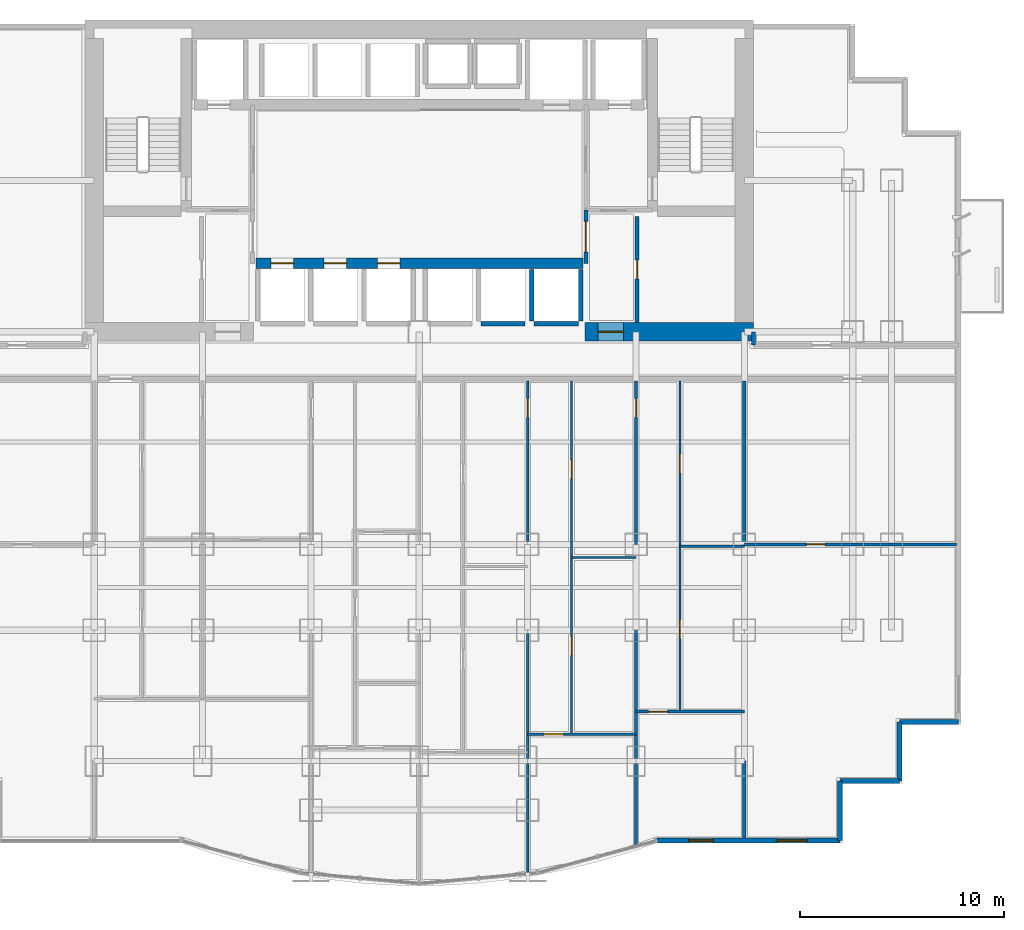
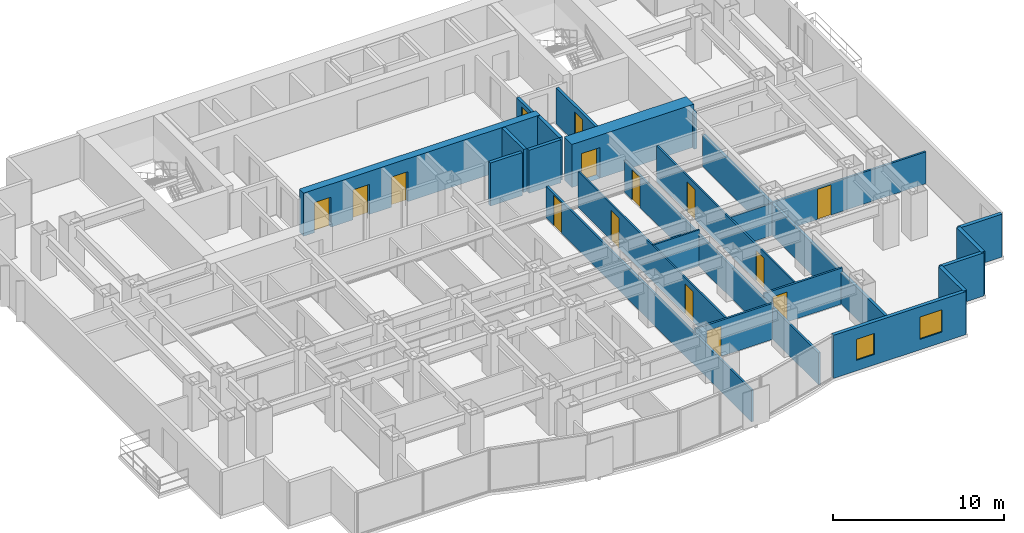
# One storey, part 6 of 10: 24 walls, 15 doors, 2 windows, 17 openings.
"""IFC4 building model written with IfcOpenShell, lengths in metres."""

from ifc_helpers import new_model, si_unit, direction, frame, frame_2d, origin, place, context, subcontext, project, spatial, rectangle, extrude, material, layer, layer_set, type_object, element, fill, save


model = new_model("IFC4")

# Units and contexts
model_context = context("Model", 3, precision=1e-05, world=origin(), true_north=direction((0.0, 1.0)))
body_context = subcontext(model_context, "Body", "Model", "MODEL_VIEW")
ifc_project = project(units=[si_unit("LENGTHUNIT", "METRE"), si_unit("AREAUNIT", "SQUARE_METRE"), si_unit("VOLUMEUNIT", "CUBIC_METRE"), si_unit("PLANEANGLEUNIT", "RADIAN"), si_unit("MASSUNIT", "GRAM", prefix="KILO")], contexts=[model_context])

# Site, building, storey
site_placement = place(None, origin())
site = spatial("IfcSite", under=ifc_project, at=site_placement, CompositionType="ELEMENT")
building_placement = place(site_placement, origin())
building = spatial("IfcBuilding", under=site, at=building_placement, Name="Qianlan Lanfeng Residences", CompositionType="ELEMENT")
storey_placement = place(building_placement, frame((0.0, 0.0, 60.5)))
storey = spatial("IfcBuildingStorey", under=building, at=storey_placement, Name="L16", CompositionType="ELEMENT", Elevation=60.5)

# Wall, openings, doors
ifc_material_1 = material(Name="Concrete C70", Category="concrete")
ifc_layer_1 = layer(ifc_material_1, 0.5)
ifc_layer_set_1 = layer_set([ifc_layer_1], Name="Concrete C70")
wall_type_1 = type_object("IfcWallType", Name="CW-RC-500", PredefinedType="SHEAR", material=ifc_layer_set_1)
wall_1_placement = place(storey_placement, frame((18.5, 28.550048828125, 0.0), z_axis=(0.0, 0.0, 1.0), x_axis=(1.0, 0.0, 0.0)))
wall_1 = element("IfcWall", 1, at=wall_1_placement, inside=storey, type_object=wall_type_1, Name="L16 Core Shear Wall LBS", PredefinedType="SHEAR", context=body_context, shape_type="SweptSolid", body=[
    extrude(rectangle(XDim=16.0, YDim=0.5, at=frame_2d((8.0, 0.0))), origin(), (0.0, 0.0, 1.0), 3.080078125),
])
opening_1_placement = place(wall_1_placement, frame((0.75, 0.0, 0.0)))
opening_1 = element("IfcOpeningElement", 2, at=opening_1_placement, cuts=wall_1, Name="Opening L16-LD-PL-L1", PredefinedType="OPENING", context=body_context, shape_type="SweptSolid", body=[
    extrude(rectangle(XDim=1.10009765625, YDim=2.14990234375, at=frame_2d((0.550048828125, 1.074951171875))), frame((0.0, 0.260009765625, 0.0), z_axis=(0.0, -1.0, 0.0), x_axis=(1.0, 0.0, 0.0)), (0.0, 0.0, 1.0), 0.52001953125),
])
opening_2_placement = place(wall_1_placement, frame((3.35009765625, 0.0, 0.0)))
opening_2 = element("IfcOpeningElement", 3, at=opening_2_placement, cuts=wall_1, Name="Opening L16-LD-PL-L2", PredefinedType="OPENING", context=body_context, shape_type="SweptSolid", body=[
    extrude(rectangle(XDim=1.10009765625, YDim=2.14990234375, at=frame_2d((0.550048828125, 1.074951171875))), frame((0.0, 0.260009765625, 0.0), z_axis=(0.0, -1.0, 0.0), x_axis=(1.0, 0.0, 0.0)), (0.0, 0.0, 1.0), 0.52001953125),
])
opening_3_placement = place(wall_1_placement, frame((5.949951171875, 0.0, 0.0)))
opening_3 = element("IfcOpeningElement", 4, at=opening_3_placement, cuts=wall_1, Name="Opening L16-LD-PL-L3", PredefinedType="OPENING", context=body_context, shape_type="SweptSolid", body=[
    extrude(rectangle(XDim=1.10009765625, YDim=2.14990234375, at=frame_2d((0.550048828125, 1.074951171875))), frame((0.0, 0.260009765625, 0.0), z_axis=(0.0, -1.0, 0.0), x_axis=(1.0, 0.0, 0.0)), (0.0, 0.0, 1.0), 0.52001953125),
])
ifc_material_2 = material(Name="Brushed Stainless Steel Sliding Lift Door", Category="steel")
door_type_1 = type_object("IfcDoorType", Name="LD-01", OperationType="NOTDEFINED", PredefinedType="DOOR", material=ifc_material_2)
door_1_placement = place(opening_1_placement, origin())
door_1 = element("IfcDoor", 5, at=door_1_placement, inside=storey, type_object=door_type_1, Name="L16 Elevator PL-L1 Sliding Landing Door", OperationType="DOUBLE_DOOR_SLIDING", OverallHeight=2.14990234375, OverallWidth=1.10009765625, PredefinedType="DOOR", context=body_context, shape_type="SweptSolid", body=[
    extrude(rectangle(XDim=1.10009765625, YDim=2.14990234375, at=frame_2d((0.550048828125, 1.074951171875))), frame((0.0, 0.02490234375, 0.0), z_axis=(0.0, -1.0, 0.0), x_axis=(1.0, 0.0, 0.0)), (0.0, 0.0, 1.0), 0.050048828125),
])
fill(opening_1, door_1)
door_2_placement = place(opening_2_placement, origin())
door_2 = element("IfcDoor", 6, at=door_2_placement, inside=storey, type_object=door_type_1, Name="L16 Elevator PL-L2 Sliding Landing Door", OperationType="DOUBLE_DOOR_SLIDING", OverallHeight=2.14990234375, OverallWidth=1.10009765625, PredefinedType="DOOR", context=body_context, shape_type="SweptSolid", body=[
    extrude(rectangle(XDim=1.10009765625, YDim=2.14990234375, at=frame_2d((0.550048828125, 1.074951171875))), frame((0.0, 0.02490234375, 0.0), z_axis=(0.0, -1.0, 0.0), x_axis=(1.0, 0.0, 0.0)), (0.0, 0.0, 1.0), 0.050048828125),
])
fill(opening_2, door_2)
door_3_placement = place(opening_3_placement, origin())
door_3 = element("IfcDoor", 7, at=door_3_placement, inside=storey, type_object=door_type_1, Name="L16 Elevator PL-L3 Sliding Landing Door", OperationType="DOUBLE_DOOR_SLIDING", OverallHeight=2.14990234375, OverallWidth=1.10009765625, PredefinedType="DOOR", context=body_context, shape_type="SweptSolid", body=[
    extrude(rectangle(XDim=1.10009765625, YDim=2.14990234375, at=frame_2d((0.550048828125, 1.074951171875))), frame((0.0, 0.02490234375, 0.0), z_axis=(0.0, -1.0, 0.0), x_axis=(1.0, 0.0, 0.0)), (0.0, 0.0, 1.0), 0.050048828125),
])
fill(opening_3, door_3)

# Wall, opening, door
ifc_layer_2 = layer(ifc_material_1, 0.89990234375)
ifc_layer_set_2 = layer_set([ifc_layer_2], Name="Concrete C70")
wall_type_2 = type_object("IfcWallType", Name="CW-RC-900", PredefinedType="SHEAR", material=ifc_layer_set_2)
wall_2_placement = place(storey_placement, frame((34.60009765625, 25.199951171875, 0.0), z_axis=(0.0, 0.0, 1.0), x_axis=(1.0, 0.0, 0.0)))
wall_2 = element("IfcWall", 8, at=wall_2_placement, inside=storey, type_object=wall_type_2, Name="L16 Core Shear Wall SE", PredefinedType="SHEAR", context=body_context, shape_type="SweptSolid", body=[
    extrude(rectangle(XDim=8.25, YDim=0.89990234375, at=frame_2d((4.125, 0.0))), origin(), (0.0, 0.0, 1.0), 3.080078125),
])
opening_4_placement = place(wall_2_placement, frame((0.64990234375, 0.0, 0.0)))
opening_4 = element("IfcOpeningElement", 9, at=opening_4_placement, cuts=wall_2, Name="Opening L16-D02", PredefinedType="OPENING", context=body_context, shape_type="SweptSolid", body=[
    extrude(rectangle(XDim=1.25, YDim=2.199951171875, at=frame_2d((0.625, 1.10009765625))), frame((0.0, 0.4599609375, 0.0), z_axis=(0.0, -1.0, 0.0), x_axis=(1.0, 0.0, 0.0)), (0.0, 0.0, 1.0), 0.919921875),
])
ifc_material_3 = material(Name="Painted Galvanised Steel Fire Door", Category="steel")
door_type_2 = type_object("IfcDoorType", Name="DT-FFL", OperationType="NOTDEFINED", PredefinedType="DOOR", material=ifc_material_3)
door_4_placement = place(opening_4_placement, frame((1.25, 0.0, 0.0), z_axis=(0.0, 0.0, 1.0), x_axis=(-1.0, 0.0, 0.0)))
door_4 = element("IfcDoor", 10, at=door_4_placement, inside=storey, type_object=door_type_2, Name="L16 East Core Lobby Smoke Door L16-D02 (DT-FFL)", OperationType="SINGLE_SWING_LEFT", OverallHeight=2.199951171875, OverallWidth=1.25, PredefinedType="DOOR", context=body_context, shape_type="SweptSolid", body=[
    extrude(rectangle(XDim=1.25, YDim=2.199951171875, at=frame_2d((0.625, 1.10009765625))), frame((0.0, 0.02490234375, 0.0), z_axis=(0.0, -1.0, 0.0), x_axis=(1.0, 0.0, 0.0)), (0.0, 0.0, 1.0), 0.050048828125),
])
fill(opening_4, door_4)

# Wall, openings, windows
ifc_material_4 = material(Name="Concrete C42", Category="concrete")
ifc_layer_3 = layer(ifc_material_4, 0.239990234375)
ifc_layer_set_3 = layer_set([ifc_layer_3], Name="Concrete C42")
wall_type_3 = type_object("IfcWallType", Name="EW-240", PredefinedType="SOLIDWALL", material=ifc_layer_set_3)
wall_3_placement = place(storey_placement, frame((38.1298828125, 0.320068359375, 0.0), z_axis=(0.0, 0.0, 1.0), x_axis=(1.0, 0.0, 0.0)))
wall_3 = element("IfcWall", 11, at=wall_3_placement, inside=storey, type_object=wall_type_3, Name="L16 Exterior Facade Spandrel Wall 5", PredefinedType="SOLIDWALL", context=body_context, shape_type="SweptSolid", body=[
    extrude(rectangle(XDim=8.9501953125, YDim=0.239990234375, at=frame_2d((4.47509765625, 0.0))), origin(), (0.0, 0.0, 1.0), 3.080078125),
])
opening_5_placement = place(wall_3_placement, frame((5.8349609375, 0.0, 0.75)))
opening_5 = element("IfcOpeningElement", 12, at=opening_5_placement, cuts=wall_3, Name="Opening W-02", PredefinedType="OPENING", context=body_context, shape_type="SweptSolid", body=[
    extrude(rectangle(XDim=1.5, YDim=1.60009765625, at=frame_2d((0.75, 0.800048828125))), frame((0.0, 0.1298828125, 0.0), z_axis=(0.0, -1.0, 0.0), x_axis=(1.0, 0.0, 0.0)), (0.0, 0.0, 1.0), 0.260009765625),
])
opening_6_placement = place(wall_3_placement, frame((1.56005859375, 0.0, 0.75)))
opening_6 = element("IfcOpeningElement", 13, at=opening_6_placement, cuts=wall_3, Name="Opening W-03", PredefinedType="OPENING", context=body_context, shape_type="SweptSolid", body=[
    extrude(rectangle(XDim=1.199951171875, YDim=1.5, at=frame_2d((0.60009765625, 0.75))), frame((0.0, 0.1298828125, 0.0), z_axis=(0.0, -1.0, 0.0), x_axis=(1.0, 0.0, 0.0)), (0.0, 0.0, 1.0), 0.260009765625),
])
ifc_material_5 = material(Name="Anodised Bronze Aluminium Framed Double Glazing", Category="aluminium")
window_type_1 = type_object("IfcWindowType", Name="W-02", PartitioningType="SINGLE_PANEL", PredefinedType="WINDOW", material=ifc_material_5)
window_1_placement = place(opening_5_placement, origin())
window_1 = element("IfcWindow", 14, at=window_1_placement, inside=storey, type_object=window_type_1, Name="L16 Facade Punched Window W-02", OverallHeight=1.60009765625, OverallWidth=1.5, PartitioningType="SINGLE_PANEL", PredefinedType="WINDOW", context=body_context, shape_type="SweptSolid", body=[
    extrude(rectangle(XDim=1.5, YDim=1.60009765625, at=frame_2d((0.75, 0.800048828125))), frame((0.0, 0.030029296875, 0.0), z_axis=(0.0, -1.0, 0.0), x_axis=(1.0, 0.0, 0.0)), (0.0, 0.0, 1.0), 0.06005859375),
])
fill(opening_5, window_1)
window_type_2 = type_object("IfcWindowType", Name="W-03", PartitioningType="SINGLE_PANEL", PredefinedType="WINDOW", material=ifc_material_5)
window_2_placement = place(opening_6_placement, origin())
window_2 = element("IfcWindow", 15, at=window_2_placement, inside=storey, type_object=window_type_2, Name="L16 Facade Bay Window W-03", OverallHeight=1.5, OverallWidth=1.199951171875, PartitioningType="SINGLE_PANEL", PredefinedType="WINDOW", context=body_context, shape_type="SweptSolid", body=[
    extrude(rectangle(XDim=1.199951171875, YDim=1.5, at=frame_2d((0.60009765625, 0.75))), frame((0.0, 0.030029296875, 0.0), z_axis=(0.0, -1.0, 0.0), x_axis=(1.0, 0.0, 0.0)), (0.0, 0.0, 1.0), 0.06005859375),
])
fill(opening_6, window_2)

# Walls
for number, where, z_axis, x_axis, name in (
    (16, (47.080078125, 0.320068359375, 0.0), (0.0, 0.0, 1.0), (0.0, 1.0, 0.0), "L16 Exterior Facade Spandrel Wall 6"),
    (17, (47.080078125, 3.219970703125, 0.0), (0.0, 0.0, 1.0), (1.0, 0.0, 0.0), "L16 Exterior Facade Spandrel Wall 7"),
):
    element("IfcWall", number, at=place(storey_placement, frame(where, z_axis=z_axis, x_axis=x_axis)), inside=storey, type_object=wall_type_3, Name=name, PredefinedType="SOLIDWALL", context=body_context, shape_type="SweptSolid", body=[
        extrude(rectangle(XDim=2.89990234375, YDim=0.239990234375, at=frame_2d((1.449951171875, 0.0))), origin(), (0.0, 0.0, 1.0), 3.080078125),
    ])
wall_4_placement = place(storey_placement, frame((49.97998046875, 3.219970703125, 0.0), z_axis=(0.0, 0.0, 1.0), x_axis=(0.0, 1.0, 0.0)))
element("IfcWall", 18, at=wall_4_placement, inside=storey, type_object=wall_type_3, Name="L16 Exterior Facade Spandrel Wall 8", PredefinedType="SOLIDWALL", context=body_context, shape_type="SweptSolid", body=[
    extrude(rectangle(XDim=2.900146484375, YDim=0.239990234375, at=frame_2d((1.4501953125, 0.0))), origin(), (0.0, 0.0, 1.0), 3.080078125),
])
wall_5_placement = place(storey_placement, frame((49.97998046875, 6.1201171875, 0.0), z_axis=(0.0, 0.0, 1.0), x_axis=(1.0, 0.0, 0.0)))
element("IfcWall", 19, at=wall_5_placement, inside=storey, type_object=wall_type_3, Name="L16 Exterior Facade Spandrel Wall 9", PredefinedType="SOLIDWALL", context=body_context, shape_type="SweptSolid", body=[
    extrude(rectangle(XDim=2.89990234375, YDim=0.239990234375, at=frame_2d((1.449951171875, 0.0))), origin(), (0.0, 0.0, 1.0), 3.080078125),
])

# Wall, openings, doors
ifc_material_6 = material(Name="Demountable Acoustic Framing Partition 110 mm")
ifc_layer_4 = layer(ifc_material_6, 0.110107421875)
ifc_layer_set_4 = layer_set([ifc_layer_4], Name="Demountable Acoustic Framing Partition 110 mm")
wall_type_4 = type_object("IfcWallType", Name="PW-110", PredefinedType="MOVABLE", material=ifc_layer_set_4)
wall_6_placement = place(storey_placement, frame((33.949951171875, 5.512939453125, 0.0), z_axis=(0.0, 0.0, 1.0), x_axis=(0.0, 1.0, 0.0)))
wall_6 = element("IfcWall", 20, at=wall_6_placement, inside=storey, type_object=wall_type_4, Name="L16 U01 Bedroom 4 Hall Wall", PredefinedType="MOVABLE", context=body_context, shape_type="SweptSolid", body=[
    extrude(rectangle(XDim=17.287109375, YDim=0.110107421875, at=frame_2d((8.6435546875, 0.0))), origin(), (0.0, 0.0, 1.0), 2.570068359375),
])
opening_7_placement = place(wall_6_placement, frame((3.862060546875, 0.0, 0.0)))
opening_7 = element("IfcOpeningElement", 21, at=opening_7_placement, cuts=wall_6, Name="Opening L16-D31", PredefinedType="OPENING", context=body_context, shape_type="SweptSolid", body=[
    extrude(rectangle(XDim=0.919921875, YDim=2.14990234375, at=frame_2d((0.4599609375, 1.074951171875))), frame((0.0, 0.06494140625, 0.0), z_axis=(0.0, -1.0, 0.0), x_axis=(1.0, 0.0, 0.0)), (0.0, 0.0, 1.0), 0.130126953125),
])
opening_8_placement = place(wall_6_placement, frame((12.5048828125, 0.0, 0.0)))
opening_8 = element("IfcOpeningElement", 22, at=opening_8_placement, cuts=wall_6, Name="Opening L16-D32", PredefinedType="OPENING", context=body_context, shape_type="SweptSolid", body=[
    extrude(rectangle(XDim=0.919921875, YDim=2.14990234375, at=frame_2d((0.4599609375, 1.074951171875))), frame((0.0, 0.06494140625, 0.0), z_axis=(0.0, -1.0, 0.0), x_axis=(1.0, 0.0, 0.0)), (0.0, 0.0, 1.0), 0.130126953125),
])
ifc_material_7 = material(Name="Glazed Timber Kitchen/Study Door", Category="wood")
door_type_3 = type_object("IfcDoorType", Name="DT-INT", OperationType="NOTDEFINED", PredefinedType="DOOR", material=ifc_material_7)
door_5_placement = place(opening_7_placement, origin())
door_5 = element("IfcDoor", 23, at=door_5_placement, inside=storey, type_object=door_type_3, Name="L16 U01 Utility Door L16-D31 (DT-INT)", OperationType="SINGLE_SWING_LEFT", OverallHeight=2.14990234375, OverallWidth=0.919921875, PredefinedType="DOOR", context=body_context, shape_type="SweptSolid", body=[
    extrude(rectangle(XDim=0.919921875, YDim=2.14990234375, at=frame_2d((0.4599609375, 1.074951171875))), frame((0.0, 0.02490234375, 0.0), z_axis=(0.0, -1.0, 0.0), x_axis=(1.0, 0.0, 0.0)), (0.0, 0.0, 1.0), 0.050048828125),
])
fill(opening_7, door_5)
door_6_placement = place(opening_8_placement, origin())
door_6 = element("IfcDoor", 24, at=door_6_placement, inside=storey, type_object=door_type_3, Name="L16 U01 Specialty Door L16-D32 (DT-INT)", OperationType="SINGLE_SWING_RIGHT", OverallHeight=2.14990234375, OverallWidth=0.919921875, PredefinedType="DOOR", context=body_context, shape_type="SweptSolid", body=[
    extrude(rectangle(XDim=0.919921875, YDim=2.14990234375, at=frame_2d((0.4599609375, 1.074951171875))), frame((0.0, 0.02490234375, 0.0), z_axis=(0.0, -1.0, 0.0), x_axis=(1.0, 0.0, 0.0)), (0.0, 0.0, 1.0), 0.050048828125),
])
fill(opening_8, door_6)

# Wall
wall_7_placement = place(storey_placement, frame((33.949951171875, 14.156982421875, 0.0), z_axis=(0.0, 0.0, 1.0), x_axis=(1.0, 0.0, 0.0)))
element("IfcWall", 25, at=wall_7_placement, inside=storey, type_object=wall_type_4, Name="L16 U01 Specialty Split Wall", PredefinedType="MOVABLE", context=body_context, shape_type="SweptSolid", body=[
    extrude(rectangle(XDim=3.150146484375, YDim=0.110107421875, at=frame_2d((1.5751953125, 0.0))), origin(), (0.0, 0.0, 1.0), 2.570068359375),
])

# Wall, openings, doors
wall_8_placement = place(storey_placement, frame((39.25, 6.6201171875, 0.0), z_axis=(0.0, 0.0, 1.0), x_axis=(0.0, 1.0, 0.0)))
wall_8 = element("IfcWall", 26, at=wall_8_placement, inside=storey, type_object=wall_type_4, Name="L16 U01 Bedroom 5 Hall Wall", PredefinedType="MOVABLE", context=body_context, shape_type="SweptSolid", body=[
    extrude(rectangle(XDim=16.179931640625, YDim=0.110107421875, at=frame_2d((8.08984375, 0.0))), origin(), (0.0, 0.0, 1.0), 2.570068359375),
])
opening_9_placement = place(wall_8_placement, frame((3.5849609375, 0.0, 0.0)))
opening_9 = element("IfcOpeningElement", 27, at=opening_9_placement, cuts=wall_8, Name="Opening L16-D34", PredefinedType="OPENING", context=body_context, shape_type="SweptSolid", body=[
    extrude(rectangle(XDim=0.919921875, YDim=2.14990234375, at=frame_2d((0.4599609375, 1.074951171875))), frame((0.0, 0.06494140625, 0.0), z_axis=(0.0, -1.0, 0.0), x_axis=(1.0, 0.0, 0.0)), (0.0, 0.0, 1.0), 0.130126953125),
])
opening_10_placement = place(wall_8_placement, frame((11.675048828125, 0.0, 0.0)))
opening_10 = element("IfcOpeningElement", 28, at=opening_10_placement, cuts=wall_8, Name="Opening L16-D35", PredefinedType="OPENING", context=body_context, shape_type="SweptSolid", body=[
    extrude(rectangle(XDim=0.919921875, YDim=2.14990234375, at=frame_2d((0.4599609375, 1.074951171875))), frame((0.0, 0.06494140625, 0.0), z_axis=(0.0, -1.0, 0.0), x_axis=(1.0, 0.0, 0.0)), (0.0, 0.0, 1.0), 0.130126953125),
])
door_7_placement = place(opening_9_placement, origin())
door_7 = element("IfcDoor", 29, at=door_7_placement, inside=storey, type_object=door_type_3, Name="L16 U01 Utility Door L16-D34 (DT-INT)", OperationType="SINGLE_SWING_RIGHT", OverallHeight=2.14990234375, OverallWidth=0.919921875, PredefinedType="DOOR", context=body_context, shape_type="SweptSolid", body=[
    extrude(rectangle(XDim=0.919921875, YDim=2.14990234375, at=frame_2d((0.4599609375, 1.074951171875))), frame((0.0, 0.02490234375, 0.0), z_axis=(0.0, -1.0, 0.0), x_axis=(1.0, 0.0, 0.0)), (0.0, 0.0, 1.0), 0.050048828125),
])
fill(opening_9, door_7)
door_8_placement = place(opening_10_placement, origin())
door_8 = element("IfcDoor", 30, at=door_8_placement, inside=storey, type_object=door_type_3, Name="L16 U01 Specialty Door L16-D35 (DT-INT)", OperationType="SINGLE_SWING_LEFT", OverallHeight=2.14990234375, OverallWidth=0.919921875, PredefinedType="DOOR", context=body_context, shape_type="SweptSolid", body=[
    extrude(rectangle(XDim=0.919921875, YDim=2.14990234375, at=frame_2d((0.4599609375, 1.074951171875))), frame((0.0, 0.02490234375, 0.0), z_axis=(0.0, -1.0, 0.0), x_axis=(1.0, 0.0, 0.0)), (0.0, 0.0, 1.0), 0.050048828125),
])
fill(opening_10, door_8)

# Wall
wall_9_placement = place(storey_placement, frame((39.25, 14.7099609375, 0.0), z_axis=(0.0, 0.0, 1.0), x_axis=(1.0, 0.0, 0.0)))
element("IfcWall", 31, at=wall_9_placement, inside=storey, type_object=wall_type_4, Name="L16 U01 Specialty Split Wall", PredefinedType="MOVABLE", context=body_context, shape_type="SweptSolid", body=[
    extrude(rectangle(XDim=3.14990234375, YDim=0.110107421875, at=frame_2d((1.574951171875, 0.0))), origin(), (0.0, 0.0, 1.0), 2.27490234375),
])

# Wall, opening, door
ifc_material_8 = material(Name="Moisture-Resistant Gypsum Partition 135 mm")
ifc_layer_5 = layer(ifc_material_8, 0.135009765625)
ifc_layer_set_5 = layer_set([ifc_layer_5], Name="Moisture-Resistant Gypsum Partition 135 mm")
wall_type_5 = type_object("IfcWallType", Name="PW-135", PredefinedType="PARTITIONING", material=ifc_layer_set_5)
wall_10_placement = place(storey_placement, frame((31.800048828125, -1.235107421875, 0.0), z_axis=(0.0, 0.0, 1.0), x_axis=(0.0, 1.0, 0.0)))
wall_10 = element("IfcWall", 32, at=wall_10_placement, inside=storey, type_object=wall_type_5, Name="L16 U01 Bay Spine Wall 4", PredefinedType="PARTITIONING", context=body_context, shape_type="SweptSolid", body=[
    extrude(rectangle(XDim=24.03515625, YDim=0.135009765625, at=frame_2d((12.017578125, 0.0))), origin(), (0.0, 0.0, 1.0), 2.27490234375),
])
opening_11_placement = place(wall_10_placement, frame((22.25, 0.0, 0.0)))
opening_11 = element("IfcOpeningElement", 33, at=opening_11_placement, cuts=wall_10, Name="Opening L16-D17", PredefinedType="OPENING", context=body_context, shape_type="SweptSolid", body=[
    extrude(rectangle(XDim=0.919921875, YDim=2.14990234375, at=frame_2d((0.4599609375, 1.074951171875))), frame((0.0, 0.07763671875, 0.0), z_axis=(0.0, -1.0, 0.0), x_axis=(1.0, 0.0, 0.0)), (0.0, 0.0, 1.0), 0.155029296875),
])
door_9_placement = place(opening_11_placement, origin())
door_9 = element("IfcDoor", 34, at=door_9_placement, inside=storey, type_object=door_type_3, Name="L16 U01 Internal Hall Door L16-D17 (DT-INT)", OperationType="SINGLE_SWING_LEFT", OverallHeight=2.14990234375, OverallWidth=0.919921875, PredefinedType="DOOR", context=body_context, shape_type="SweptSolid", body=[
    extrude(rectangle(XDim=0.919921875, YDim=2.14990234375, at=frame_2d((0.4599609375, 1.074951171875))), frame((0.0, 0.02490234375, 0.0), z_axis=(0.0, -1.0, 0.0), x_axis=(1.0, 0.0, 0.0)), (0.0, 0.0, 1.0), 0.050048828125),
])
fill(opening_11, door_9)

wall_11_placement = place(storey_placement, frame((37.10009765625, 0.076904296875, 0.0), z_axis=(0.0, 0.0, 1.0), x_axis=(0.0, 1.0, 0.0)))
wall_11 = element("IfcWall", 35, at=wall_11_placement, inside=storey, type_object=wall_type_5, Name="L16 U01 Bay Spine Wall 5", PredefinedType="PARTITIONING", context=body_context, shape_type="SweptSolid", body=[
    extrude(rectangle(XDim=22.72314453125, YDim=0.135009765625, at=frame_2d((11.361572265625, 0.0))), origin(), (0.0, 0.0, 1.0), 2.27490234375),
])
opening_12_placement = place(wall_11_placement, frame((20.93798828125, 0.0, 0.0)))
opening_12 = element("IfcOpeningElement", 36, at=opening_12_placement, cuts=wall_11, Name="Opening L16-D18", PredefinedType="OPENING", context=body_context, shape_type="SweptSolid", body=[
    extrude(rectangle(XDim=0.919921875, YDim=2.14990234375, at=frame_2d((0.4599609375, 1.074951171875))), frame((0.0, 0.07763671875, 0.0), z_axis=(0.0, -1.0, 0.0), x_axis=(1.0, 0.0, 0.0)), (0.0, 0.0, 1.0), 0.155029296875),
])
door_10_placement = place(opening_12_placement, origin())
door_10 = element("IfcDoor", 37, at=door_10_placement, inside=storey, type_object=door_type_3, Name="L16 U01 Internal Hall Door L16-D18 (DT-INT)", OperationType="SINGLE_SWING_RIGHT", OverallHeight=2.14990234375, OverallWidth=0.919921875, PredefinedType="DOOR", context=body_context, shape_type="SweptSolid", body=[
    extrude(rectangle(XDim=0.919921875, YDim=2.14990234375, at=frame_2d((0.4599609375, 1.074951171875))), frame((0.0, 0.02490234375, 0.0), z_axis=(0.0, -1.0, 0.0), x_axis=(1.0, 0.0, 0.0)), (0.0, 0.0, 1.0), 0.050048828125),
])
fill(opening_12, door_10)

wall_12_placement = place(storey_placement, frame((31.800048828125, 5.512939453125, 0.0), z_axis=(0.0, 0.0, 1.0), x_axis=(1.0, 0.0, 0.0)))
wall_12 = element("IfcWall", 38, at=wall_12_placement, inside=storey, type_object=wall_type_5, Name="L16 U01 Bedroom 4 North Wall", PredefinedType="PARTITIONING", context=body_context, shape_type="SweptSolid", body=[
    extrude(rectangle(XDim=5.300048828125, YDim=0.135009765625, at=frame_2d((2.64990234375, 0.0))), origin(), (0.0, 0.0, 1.0), 2.570068359375),
])
opening_13_placement = place(wall_12_placement, frame((0.800048828125, 0.0, 0.0)))
opening_13 = element("IfcOpeningElement", 39, at=opening_13_placement, cuts=wall_12, Name="Opening L16-D30", PredefinedType="OPENING", context=body_context, shape_type="SweptSolid", body=[
    extrude(rectangle(XDim=0.949951171875, YDim=2.14990234375, at=frame_2d((0.47509765625, 1.074951171875))), frame((0.0, 0.07763671875, 0.0), z_axis=(0.0, -1.0, 0.0), x_axis=(1.0, 0.0, 0.0)), (0.0, 0.0, 1.0), 0.155029296875),
])
ifc_material_9 = material(Name="Painted Solid-Core Timber Leaf", Category="wood")
door_type_4 = type_object("IfcDoorType", Name="DT-BED", OperationType="NOTDEFINED", PredefinedType="DOOR", material=ifc_material_9)
door_11_placement = place(opening_13_placement, origin())
door_11 = element("IfcDoor", 40, at=door_11_placement, inside=storey, type_object=door_type_4, Name="L16 U01 Bedroom 4 Door L16-D30 (DT-BED)", OperationType="SINGLE_SWING_LEFT", OverallHeight=2.14990234375, OverallWidth=0.949951171875, PredefinedType="DOOR", context=body_context, shape_type="SweptSolid", body=[
    extrude(rectangle(XDim=0.949951171875, YDim=2.14990234375, at=frame_2d((0.47509765625, 1.074951171875))), frame((0.0, 0.02490234375, 0.0), z_axis=(0.0, -1.0, 0.0), x_axis=(1.0, 0.0, 0.0)), (0.0, 0.0, 1.0), 0.050048828125),
])
fill(opening_13, door_11)

wall_13_placement = place(storey_placement, frame((37.10009765625, 6.6201171875, 0.0), z_axis=(0.0, 0.0, 1.0), x_axis=(1.0, 0.0, 0.0)))
wall_13 = element("IfcWall", 41, at=wall_13_placement, inside=storey, type_object=wall_type_5, Name="L16 U01 Bedroom 5 North Wall", PredefinedType="PARTITIONING", context=body_context, shape_type="SweptSolid", body=[
    extrude(rectangle(XDim=5.2998046875, YDim=0.135009765625, at=frame_2d((2.64990234375, 0.0))), origin(), (0.0, 0.0, 1.0), 2.570068359375),
])
opening_14_placement = place(wall_13_placement, frame((0.60009765625, 0.0, 0.0)))
opening_14 = element("IfcOpeningElement", 42, at=opening_14_placement, cuts=wall_13, Name="Opening L16-D33", PredefinedType="OPENING", context=body_context, shape_type="SweptSolid", body=[
    extrude(rectangle(XDim=0.949951171875, YDim=2.14990234375, at=frame_2d((0.47509765625, 1.074951171875))), frame((0.0, 0.07763671875, 0.0), z_axis=(0.0, -1.0, 0.0), x_axis=(1.0, 0.0, 0.0)), (0.0, 0.0, 1.0), 0.155029296875),
])
door_12_placement = place(opening_14_placement, frame((0.949951171875, 0.0, 0.0), z_axis=(0.0, 0.0, 1.0), x_axis=(-1.0, 0.0, 0.0)))
door_12 = element("IfcDoor", 43, at=door_12_placement, inside=storey, type_object=door_type_4, Name="L16 U01 Bedroom 5 Door L16-D33 (DT-BED)", OperationType="SINGLE_SWING_RIGHT", OverallHeight=2.14990234375, OverallWidth=0.949951171875, PredefinedType="DOOR", context=body_context, shape_type="SweptSolid", body=[
    extrude(rectangle(XDim=0.949951171875, YDim=2.14990234375, at=frame_2d((0.47509765625, 1.074951171875))), frame((0.0, 0.02490234375, 0.0), z_axis=(0.0, -1.0, 0.0), x_axis=(1.0, 0.0, 0.0)), (0.0, 0.0, 1.0), 0.050048828125),
])
fill(opening_14, door_12)

wall_14_placement = place(storey_placement, frame((42.39990234375, 14.800048828125, 0.0), z_axis=(0.0, 0.0, 1.0), x_axis=(1.0, 0.0, 0.0)))
wall_14 = element("IfcWall", 44, at=wall_14_placement, inside=storey, type_object=wall_type_5, Name="L16 SEP Mid Partition", PredefinedType="PARTITIONING", context=body_context, shape_type="SweptSolid", body=[
    extrude(rectangle(XDim=10.380126953125, YDim=0.135009765625, at=frame_2d((5.18994140625, 0.0))), origin(), (0.0, 0.0, 1.0), 2.27490234375),
])
opening_15_placement = place(wall_14_placement, frame((3.030029296875, 0.0, 0.0)))
opening_15 = element("IfcOpeningElement", 45, at=opening_15_placement, cuts=wall_14, Name="Opening L16-D38", PredefinedType="OPENING", context=body_context, shape_type="SweptSolid", body=[
    extrude(rectangle(XDim=0.919921875, YDim=2.14990234375, at=frame_2d((0.4599609375, 1.074951171875))), frame((0.0, 0.07763671875, 0.0), z_axis=(0.0, -1.0, 0.0), x_axis=(1.0, 0.0, 0.0)), (0.0, 0.0, 1.0), 0.155029296875),
])
door_13_placement = place(opening_15_placement, origin())
door_13 = element("IfcDoor", 46, at=door_13_placement, inside=storey, type_object=door_type_3, Name="L16 SEP Inner Door L16-D38 (DT-INT)", OperationType="SINGLE_SWING_RIGHT", OverallHeight=2.14990234375, OverallWidth=0.919921875, PredefinedType="DOOR", context=body_context, shape_type="SweptSolid", body=[
    extrude(rectangle(XDim=0.919921875, YDim=2.14990234375, at=frame_2d((0.4599609375, 1.074951171875))), frame((0.0, 0.02490234375, 0.0), z_axis=(0.0, -1.0, 0.0), x_axis=(1.0, 0.0, 0.0)), (0.0, 0.0, 1.0), 0.050048828125),
])
fill(opening_15, door_13)

ifc_material_10 = material(Name="Double-Layer Acoustic Gypsum Stud Wall 180 mm")
ifc_layer_6 = layer(ifc_material_10, 0.179931640625)
ifc_layer_set_6 = layer_set([ifc_layer_6], Name="Double-Layer Acoustic Gypsum Stud Wall 180 mm")
wall_type_6 = type_object("IfcWallType", Name="PW-180", PredefinedType="PARTITIONING", material=ifc_layer_set_6)
wall_15_placement = place(storey_placement, frame((37.14990234375, 25.64990234375, 0.0), z_axis=(0.0, 0.0, 1.0), x_axis=(0.0, 1.0, 0.0)))
wall_15 = element("IfcWall", 47, at=wall_15_placement, inside=storey, type_object=wall_type_6, Name="L16 Core East Service Room Wall", PredefinedType="PARTITIONING", context=body_context, shape_type="SweptSolid", body=[
    extrude(rectangle(XDim=5.2001953125, YDim=0.179931640625, at=frame_2d((2.60009765625, 0.0))), origin(), (0.0, 0.0, 1.0), 2.570068359375),
])
opening_16_placement = place(wall_15_placement, frame((2.139892578125, 0.0, 0.0)))
opening_16 = element("IfcOpeningElement", 48, at=opening_16_placement, cuts=wall_15, Name="Opening L16-D10", PredefinedType="OPENING", context=body_context, shape_type="SweptSolid", body=[
    extrude(rectangle(XDim=0.919921875, YDim=2.14990234375, at=frame_2d((0.4599609375, 1.074951171875))), frame((0.0, 0.10009765625, 0.0), z_axis=(0.0, -1.0, 0.0), x_axis=(1.0, 0.0, 0.0)), (0.0, 0.0, 1.0), 0.199951171875),
])
door_14_placement = place(opening_16_placement, origin())
door_14 = element("IfcDoor", 49, at=door_14_placement, inside=storey, type_object=door_type_3, Name="L16 Refuse Recycling Door L16-D10 (DT-INT)", OperationType="SINGLE_SWING_RIGHT", OverallHeight=2.14990234375, OverallWidth=0.919921875, PredefinedType="DOOR", context=body_context, shape_type="SweptSolid", body=[
    extrude(rectangle(XDim=0.919921875, YDim=2.14990234375, at=frame_2d((0.4599609375, 1.074951171875))), frame((0.0, 0.02490234375, 0.0), z_axis=(0.0, -1.0, 0.0), x_axis=(1.0, 0.0, 0.0)), (0.0, 0.0, 1.0), 0.050048828125),
])
fill(opening_16, door_14)

# Wall
wall_16_placement = place(storey_placement, frame((42.39990234375, 0.419921875, 0.0), z_axis=(0.0, 0.0, 1.0), x_axis=(0.0, 1.0, 0.0)))
element("IfcWall", 50, at=wall_16_placement, inside=storey, type_object=wall_type_6, Name="L16 Wing Boundary Party Wall E0", PredefinedType="PARTITIONING", context=body_context, shape_type="SweptSolid", body=[
    extrude(rectangle(XDim=22.380126953125, YDim=0.179931640625, at=frame_2d((11.18994140625, 0.0))), origin(), (0.0, 0.0, 1.0), 2.27490234375),
])

# Wall, opening, door
ifc_material_11 = material(Name="Autoclaved Aerated Concrete Blockwork 200 mm", Category="masonry")
ifc_layer_7 = layer(ifc_material_11, 0.199951171875)
ifc_layer_set_7 = layer_set([ifc_layer_7], Name="Autoclaved Aerated Concrete Blockwork 200 mm")
wall_type_7 = type_object("IfcWallType", Name="PW-200", PredefinedType="PARTITIONING", material=ifc_layer_set_7)
wall_17_placement = place(storey_placement, frame((34.64990234375, 28.550048828125, 0.0), z_axis=(0.0, 0.0, 1.0), x_axis=(0.0, 1.0, 0.0)))
wall_17 = element("IfcWall", 51, at=wall_17_placement, inside=storey, type_object=wall_type_7, Name="L16 Lift Lobby East Connector Wall", PredefinedType="PARTITIONING", context=body_context, shape_type="SweptSolid", body=[
    extrude(rectangle(XDim=2.599853515625, YDim=0.199951171875, at=frame_2d((1.2998046875, 0.0))), origin(), (0.0, 0.0, 1.0), 2.570068359375),
])
opening_17_placement = place(wall_17_placement, frame((0.550048828125, 0.0, 0.0)))
opening_17 = element("IfcOpeningElement", 52, at=opening_17_placement, cuts=wall_17, Name="Opening L16-D12", PredefinedType="OPENING", context=body_context, shape_type="SweptSolid", body=[
    extrude(rectangle(XDim=1.5, YDim=2.25, at=frame_2d((0.75, 1.125))), frame((0.0, 0.10986328125, 0.0), z_axis=(0.0, -1.0, 0.0), x_axis=(1.0, 0.0, 0.0)), (0.0, 0.0, 1.0), 0.219970703125),
])
ifc_material_12 = material(Name="Timber Veneer Acoustic Fire Door", Category="wood")
door_type_5 = type_object("IfcDoorType", Name="DT-COR1", OperationType="NOTDEFINED", PredefinedType="DOOR", material=ifc_material_12)
door_15_placement = place(opening_17_placement, frame((1.5, 0.0, 0.0), z_axis=(0.0, 0.0, 1.0), x_axis=(-1.0, 0.0, 0.0)))
door_15 = element("IfcDoor", 53, at=door_15_placement, inside=storey, type_object=door_type_5, Name="L16 Lift Lobby East Portal Door L16-D12 (DT-COR1)", OperationType="DOUBLE_DOOR_SINGLE_SWING", OverallHeight=2.25, OverallWidth=1.5, PredefinedType="DOOR", context=body_context, shape_type="SweptSolid", body=[
    extrude(rectangle(XDim=1.5, YDim=2.25, at=frame_2d((0.75, 1.125))), frame((0.0, 0.02490234375, 0.0), z_axis=(0.0, -1.0, 0.0), x_axis=(1.0, 0.0, 0.0)), (0.0, 0.0, 1.0), 0.050048828125),
])
fill(opening_17, door_15)

# Walls
wall_18_placement = place(storey_placement, frame((42.85009765625, 24.550048828125, 0.0), z_axis=(0.0, 0.0, 1.0), x_axis=(0.0, 1.0, 0.0)))
element("IfcWall", 54, at=wall_18_placement, inside=storey, type_object=wall_type_7, Name="L16 NE Wing Core Return Wall", PredefinedType="PARTITIONING", context=body_context, shape_type="SweptSolid", body=[
    extrude(rectangle(XDim=0.64990234375, YDim=0.199951171875, at=frame_2d((0.324951171875, 0.0))), origin(), (0.0, 0.0, 1.0), 2.570068359375),
])
ifc_material_13 = material(Name="Concrete C49", Category="concrete")
ifc_layer_8 = layer(ifc_material_13, 0.219970703125)
ifc_layer_set_8 = layer_set([ifc_layer_8], Name="Concrete C49")
wall_type_8 = type_object("IfcWallType", Name="SHW-220", PredefinedType="SOLIDWALL", material=ifc_layer_set_8)
wall_19_placement = place(storey_placement, frame((29.52001953125, 25.60009765625, 0.0), z_axis=(0.0, 0.0, 1.0), x_axis=(1.0, 0.0, 0.0)))
element("IfcWall", 55, at=wall_19_placement, inside=storey, type_object=wall_type_8, Name="L16 Lift PL-M2 Shaft Back Wall S", PredefinedType="SOLIDWALL", context=body_context, shape_type="SweptSolid", body=[
    extrude(rectangle(XDim=2.159912109375, YDim=0.219970703125, at=frame_2d((1.080078125, 0.0))), origin(), (0.0, 0.0, 1.0), 3.080078125),
])
for number, where, z_axis, x_axis, name in (
    (56, (32.0, 25.719970703125, 0.0), (0.0, 0.0, 1.0), (0.0, 1.0, 0.0), "L16 Lift PL-M3 Shaft Wall W"),
    (57, (34.39990234375, 25.719970703125, 0.0), (0.0, 0.0, 1.0), (0.0, 1.0, 0.0), "L16 Lift PL-M3 Shaft Wall E"),
):
    element("IfcWall", number, at=place(storey_placement, frame(where, z_axis=z_axis, x_axis=x_axis)), inside=storey, type_object=wall_type_8, Name=name, PredefinedType="SOLIDWALL", context=body_context, shape_type="SweptSolid", body=[
        extrude(rectangle(XDim=2.530029296875, YDim=0.219970703125, at=frame_2d((1.26513671875, 0.0))), origin(), (0.0, 0.0, 1.0), 3.080078125),
    ])
wall_20_placement = place(storey_placement, frame((32.1201171875, 25.60009765625, 0.0), z_axis=(0.0, 0.0, 1.0), x_axis=(1.0, 0.0, 0.0)))
element("IfcWall", 58, at=wall_20_placement, inside=storey, type_object=wall_type_8, Name="L16 Lift PL-M3 Shaft Back Wall S", PredefinedType="SOLIDWALL", context=body_context, shape_type="SweptSolid", body=[
    extrude(rectangle(XDim=2.159912109375, YDim=0.219970703125, at=frame_2d((1.080078125, 0.0))), origin(), (0.0, 0.0, 1.0), 3.080078125),
])

save(model, "model.ifc")
